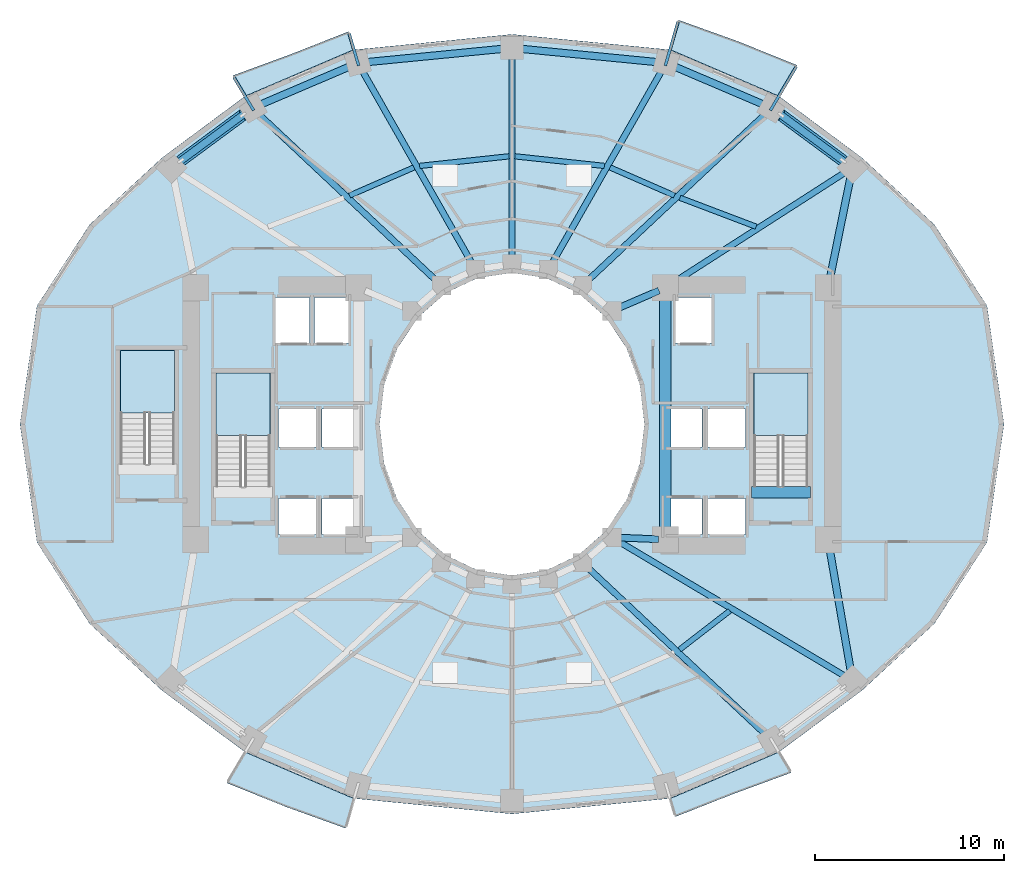
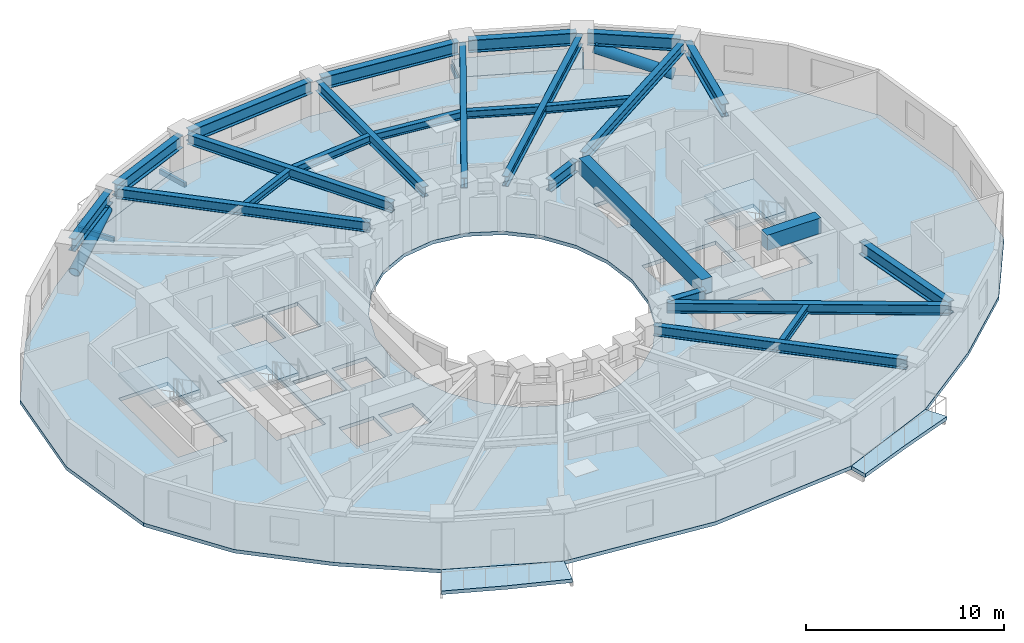
# One storey, part 2 of 10: 30 beams, 8 slabs, 2 members, 3 elements without a shape of their own.
"""IFC4 building model written with IfcOpenShell, lengths in metres."""

from ifc_helpers import new_model, si_unit, direction, frame, origin, origin_2d, place, context, subcontext, project, spatial, polyline, rectangle, hollow_rectangle, hollow_circle, i_section, outline, extrude, material, layer, layer_set, material_profile, profile_set, type_object, element, aggregate, save


model = new_model("IFC4")

# Units and contexts
model_context = context("Model", 3, precision=1e-05, world=origin(), true_north=direction((0.0, 1.0)))
body_context = subcontext(model_context, "Body", "Model", "MODEL_VIEW")
ifc_project = project(units=[si_unit("LENGTHUNIT", "METRE"), si_unit("AREAUNIT", "SQUARE_METRE"), si_unit("VOLUMEUNIT", "CUBIC_METRE"), si_unit("PLANEANGLEUNIT", "RADIAN"), si_unit("MASSUNIT", "GRAM", prefix="KILO")], contexts=[model_context])

# Site, building, storey
site_placement = place(None, origin())
site = spatial("IfcSite", under=ifc_project, at=site_placement, CompositionType="ELEMENT")
building_placement = place(site_placement, origin())
building = spatial("IfcBuilding", under=site, at=building_placement, Name="Solvane Sanctuary Tower", CompositionType="ELEMENT")
storey_placement = place(building_placement, frame((0.0, 0.0, 30.699951171875)))
storey = spatial("IfcBuildingStorey", under=building, at=storey_placement, Name="L08", CompositionType="ELEMENT", Elevation=30.699951171875)

# Beams
ifc_material_1 = material(Name="Steel ASTM A500 Grade C", Category="steel")
ifc_material_profile_1 = material_profile(ifc_material_1, hollow_rectangle(XDim=0.14990234375, YDim=0.300048828125, WallThickness=0.010009765625, at=origin_2d()), Name="HSS300X150X10")
ifc_profile_set_1 = profile_set([ifc_material_profile_1], Name="Steel ASTM A500 Grade C")
beam_type_1 = type_object("IfcBeamType", Name="Beam B-BALC-BRK HSS300X150X10", PredefinedType="BEAM", material=ifc_profile_set_1)
beam_1_placement = place(storey_placement, frame((45.650634765625, 39.574951171875, -0.3720703125), z_axis=(0.509702447383, 0.860350751224, 0.0), x_axis=(-0.860350751224, 0.509702447383, 0.0)))
element("IfcBeam", 1, at=beam_1_placement, inside=storey, type_object=beam_type_1, Name="L08 Balcony Bracket N1-1", PredefinedType="BEAM", context=body_context, shape_type="SweptSolid", body=[
    extrude(hollow_rectangle(XDim=0.14990234375, YDim=0.300048828125, WallThickness=0.010009765625, at=origin_2d()), origin(), (0.0, 0.0, 1.0), 2.678466796875),
])
beam_2_placement = place(storey_placement, frame((40.103515625, 41.939697265625, -0.3720703125), z_axis=(0.276710107222, 0.960953441412, 0.0), x_axis=(-0.960953441412, 0.276710107222, 0.0)))
element("IfcBeam", 2, at=beam_2_placement, inside=storey, type_object=beam_type_1, Name="L08 Balcony Bracket N1-2", PredefinedType="BEAM", context=body_context, shape_type="SweptSolid", body=[
    extrude(hollow_rectangle(XDim=0.14990234375, YDim=0.300048828125, WallThickness=0.010009765625, at=origin_2d()), origin(), (0.0, 0.0, 1.0), 2.414794921875),
])
beam_3_placement = place(storey_placement, frame((23.897705078125, 41.939697265625, -0.3720703125), z_axis=(-0.283291814516, 0.959033757398, 0.0), x_axis=(-0.959033757398, -0.283291814516, 0.0)))
element("IfcBeam", 3, at=beam_3_placement, inside=storey, type_object=beam_type_1, Name="L08 Balcony Bracket N2-1", PredefinedType="BEAM", context=body_context, shape_type="SweptSolid", body=[
    extrude(hollow_rectangle(XDim=0.14990234375, YDim=0.300048828125, WallThickness=0.010009765625, at=origin_2d()), origin(), (0.0, 0.0, 1.0), 1.78466796875),
])
beam_4_placement = place(storey_placement, frame((18.349609375, 39.5751953125, -0.3720703125), z_axis=(-0.512688631815, 0.858574613419, 0.0), x_axis=(-0.858574613419, -0.512688631815, 0.0)))
element("IfcBeam", 4, at=beam_4_placement, inside=storey, type_object=beam_type_1, Name="L08 Balcony Bracket N2-2", PredefinedType="BEAM", context=body_context, shape_type="SweptSolid", body=[
    extrude(hollow_rectangle(XDim=0.14990234375, YDim=0.300048828125, WallThickness=0.010009765625, at=origin_2d()), origin(), (0.0, 0.0, 1.0), 2.047607421875),
])
ifc_material_2 = material(Name="Concrete C70/85", Category="concrete")
ifc_material_profile_2 = material_profile(ifc_material_2, rectangle(XDim=0.60009765625, YDim=0.949951171875, at=origin_2d()), Name="RC600X950")
ifc_profile_set_2 = profile_set([ifc_material_profile_2], Name="Concrete C70/85")
beam_type_2 = type_object("IfcBeamType", Name="Beam B-COUPLE RC600X950", PredefinedType="LINTEL", material=ifc_profile_set_2)
beam_5_placement = place(storey_placement, frame((40.10009765625, 17.35009765625, 2.625), z_axis=(0.0, 1.0, 0.0), x_axis=(-1.0, 0.0, 0.0)))
element("IfcBeam", 5, at=beam_5_placement, inside=storey, type_object=beam_type_2, Name="L08 East Core Coupling Lintel", PredefinedType="LINTEL", context=body_context, shape_type="SweptSolid", body=[
    extrude(rectangle(XDim=0.60009765625, YDim=0.949951171875, at=origin_2d()), origin(), (0.0, 0.0, 1.0), 12.39990234375),
])
beam_6_placement = place(storey_placement, frame((44.64990234375, 19.399169921875, 2.625), z_axis=(1.0, 0.0, 0.0), x_axis=(0.0, 1.0, 0.0)))
element("IfcBeam", 6, at=beam_6_placement, inside=storey, type_object=beam_type_2, Name="L08 ST-2 Stair Floor Landing Trimmer", PredefinedType="LINTEL", context=body_context, shape_type="SweptSolid", body=[
    extrude(rectangle(XDim=0.60009765625, YDim=0.949951171875, at=origin_2d()), origin(), (0.0, 0.0, 1.0), 3.1201171875),
])
ifc_material_3 = material(Name="Steel ASTM A992 Grade 50", Category="steel")
ifc_material_profile_3 = material_profile(ifc_material_3, i_section(OverallWidth=0.323974609375, OverallDepth=0.611083984375, WebThickness=0.0126953125, FlangeThickness=0.01904296875, FilletRadius=0.01611328125, at=origin_2d()), Name="W24X104")
ifc_profile_set_3 = profile_set([ifc_material_profile_3], Name="Steel ASTM A992 Grade 50")
beam_type_3 = type_object("IfcBeamType", Name="Beam B-RAD-Z1 W24X104", PredefinedType="BEAM", material=ifc_profile_set_3)
beam_7_placement = place(storey_placement, frame((40.40283203125, 30.39453125, 2.572509765625), z_axis=(0.841383207998, 0.540438985733, 0.0), x_axis=(-0.540438985733, 0.841383207998, 0.0)))
element("IfcBeam", 7, at=beam_7_placement, inside=storey, type_object=beam_type_3, Name="L08 Radial Composite Floor Beam 01", PredefinedType="BEAM", context=body_context, shape_type="SweptSolid", body=[
    extrude(i_section(OverallWidth=0.323974609375, OverallDepth=0.611083984375, WebThickness=0.0126953125, FlangeThickness=0.01904296875, FilletRadius=0.01611328125, at=origin_2d()), origin(), (0.0, 0.0, 1.0), 11.116455078125),
])
beam_8_placement = place(storey_placement, frame((35.93408203125, 30.518310546875, 2.572509765625), z_axis=(0.729363446859, 0.68412642281, 0.0), x_axis=(-0.68412642281, 0.729363446859, 0.0)))
element("IfcBeam", 8, at=beam_8_placement, inside=storey, type_object=beam_type_3, Name="L08 Radial Composite Floor Beam 02", PredefinedType="BEAM", context=body_context, shape_type="SweptSolid", body=[
    extrude(i_section(OverallWidth=0.323974609375, OverallDepth=0.611083984375, WebThickness=0.0126953125, FlangeThickness=0.01904296875, FilletRadius=0.01611328125, at=origin_2d()), origin(), (0.0, 0.0, 1.0), 13.14697265625),
])
beam_9_placement = place(storey_placement, frame((34.0693359375, 31.4150390625, 2.572509765625), z_axis=(0.494862949167, 0.868971036078, 0.0), x_axis=(-0.868971036078, 0.494862949167, 0.0)))
element("IfcBeam", 9, at=beam_9_placement, inside=storey, type_object=beam_type_3, Name="L08 Radial Composite Floor Beam 03", PredefinedType="BEAM", context=body_context, shape_type="SweptSolid", body=[
    extrude(i_section(OverallWidth=0.323974609375, OverallDepth=0.611083984375, WebThickness=0.0126953125, FlangeThickness=0.01904296875, FilletRadius=0.01611328125, at=origin_2d()), origin(), (0.0, 0.0, 1.0), 11.997314453125),
])
beam_10_placement = place(storey_placement, frame((32.0, 31.739990234375, 2.572509765625), z_axis=(0.0, 1.0, 0.0), x_axis=(-1.0, 0.0, 0.0)))
element("IfcBeam", 10, at=beam_10_placement, inside=storey, type_object=beam_type_3, Name="L08 Radial Composite Floor Beam 04", PredefinedType="BEAM", context=body_context, shape_type="SweptSolid", body=[
    extrude(i_section(OverallWidth=0.323974609375, OverallDepth=0.611083984375, WebThickness=0.0126953125, FlangeThickness=0.01904296875, FilletRadius=0.01611328125, at=origin_2d()), origin(), (0.0, 0.0, 1.0), 10.860107421875),
])
beam_11_placement = place(storey_placement, frame((29.9306640625, 31.4150390625, 2.572509765625), z_axis=(-0.494862949167, 0.868971036078, 0.0), x_axis=(-0.868971036078, -0.494862949167, 0.0)))
element("IfcBeam", 11, at=beam_11_placement, inside=storey, type_object=beam_type_3, Name="L08 Radial Composite Floor Beam 05", PredefinedType="BEAM", context=body_context, shape_type="SweptSolid", body=[
    extrude(i_section(OverallWidth=0.323974609375, OverallDepth=0.611083984375, WebThickness=0.0126953125, FlangeThickness=0.01904296875, FilletRadius=0.01611328125, at=origin_2d()), origin(), (0.0, 0.0, 1.0), 11.997314453125),
])
for number, where, z_axis, x_axis, name in (
    (12, (28.06591796875, 30.518310546875, 2.572509765625), (-0.729363446859, 0.68412642281, 0.0), (-0.68412642281, -0.729363446859, 0.0), "L08 Radial Composite Floor Beam 06"),
    (13, (35.93408203125, 15.481689453125, 2.572509765625), (0.729363446859, -0.68412642281, 0.0), (0.68412642281, 0.729363446859, 0.0), "L08 Radial Composite Floor Beam 13"),
):
    element("IfcBeam", number, at=place(storey_placement, frame(where, z_axis=z_axis, x_axis=x_axis)), inside=storey, type_object=beam_type_3, Name=name, PredefinedType="BEAM", context=body_context, shape_type="SweptSolid", body=[
        extrude(i_section(OverallWidth=0.323974609375, OverallDepth=0.611083984375, WebThickness=0.0126953125, FlangeThickness=0.01904296875, FilletRadius=0.01611328125, at=origin_2d()), origin(), (0.0, 0.0, 1.0), 13.14697265625),
    ])
beam_12_placement = place(storey_placement, frame((37.515625, 16.874755859375, 2.572509765625), z_axis=(0.859229187027, -0.511590856214, 0.0), x_axis=(0.511590856214, 0.859229187027, 0.0)))
element("IfcBeam", 14, at=beam_12_placement, inside=storey, type_object=beam_type_3, Name="L08 Radial Composite Floor Beam 14", PredefinedType="BEAM", context=body_context, shape_type="SweptSolid", body=[
    extrude(i_section(OverallWidth=0.323974609375, OverallDepth=0.611083984375, WebThickness=0.0126953125, FlangeThickness=0.01904296875, FilletRadius=0.01611328125, at=origin_2d()), origin(), (0.0, 0.0, 1.0), 14.240234375),
])
ifc_material_profile_4 = material_profile(ifc_material_3, i_section(OverallWidth=0.35498046875, OverallDepth=0.695068359375, WebThickness=0.015380859375, FlangeThickness=0.02490234375, FilletRadius=0.01806640625, at=origin_2d()), Name="W27X146")
ifc_profile_set_4 = profile_set([ifc_material_profile_4], Name="Steel ASTM A992 Grade 50")
beam_type_4 = type_object("IfcBeamType", Name="Beam B-RING-IN1 W27X146", PredefinedType="BEAM", material=ifc_profile_set_4)
beam_13_placement = place(storey_placement, frame((37.70654296875, 29.168212890625, 2.530517578125), z_axis=(0.918277080365, 0.395938383687, 0.0), x_axis=(-0.395938383687, 0.918277080365, 0.0)))
element("IfcBeam", 15, at=beam_13_placement, inside=storey, type_object=beam_type_4, Name="L08 Inner Light-Well Ring Beam IC01-CE4", PredefinedType="BEAM", context=body_context, shape_type="SweptSolid", body=[
    extrude(i_section(OverallWidth=0.35498046875, OverallDepth=0.695068359375, WebThickness=0.015380859375, FlangeThickness=0.02490234375, FilletRadius=0.01806640625, at=origin_2d()), origin(), (0.0, 0.0, 1.0), 2.246337890625),
])
beam_14_placement = place(storey_placement, frame((37.74462890625, 16.998291015625, 2.530517578125), z_axis=(0.999130953379, -0.041681386726, 0.0), x_axis=(0.041681386726, 0.999130953379, 0.0)))
element("IfcBeam", 16, at=beam_14_placement, inside=storey, type_object=beam_type_4, Name="L08 Inner Light-Well Ring Beam IC14-CE1", PredefinedType="BEAM", context=body_context, shape_type="SweptSolid", body=[
    extrude(i_section(OverallWidth=0.35498046875, OverallDepth=0.695068359375, WebThickness=0.015380859375, FlangeThickness=0.02490234375, FilletRadius=0.01806640625, at=origin_2d()), origin(), (0.0, 0.0, 1.0), 1.997314453125),
])
ifc_material_profile_5 = material_profile(ifc_material_3, i_section(OverallWidth=0.280029296875, OverallDepth=0.462890625, WebThickness=0.0107421875, FlangeThickness=0.017333984375, FilletRadius=0.013916015625, at=origin_2d()), Name="W18X76")
ifc_profile_set_5 = profile_set([ifc_material_profile_5], Name="Steel ASTM A992 Grade 50")
beam_type_5 = type_object("IfcBeamType", Name="Beam B-SEC-JOIST W18X76", PredefinedType="JOIST", material=ifc_profile_set_5)
beam_15_placement = place(storey_placement, frame((23.415283203125, 35.078125, 2.646484375), z_axis=(0.916382007922, 0.400304903238, 0.0), x_axis=(-0.400304903238, 0.916382007922, 0.0)))
element("IfcBeam", 17, at=beam_15_placement, inside=storey, type_object=beam_type_5, Name="L08 Secondary Circumferential Joist 06-05", PredefinedType="JOIST", context=body_context, shape_type="SweptSolid", body=[
    extrude(i_section(OverallWidth=0.280029296875, OverallDepth=0.462890625, WebThickness=0.0107421875, FlangeThickness=0.017333984375, FilletRadius=0.013916015625, at=origin_2d()), origin(), (0.0, 0.0, 1.0), 3.713623046875),
])
for number, where, z_axis, x_axis, name in (
    (18, (27.118408203125, 36.64453125, 2.646484375), (0.994253832067, 0.107048201386, 0.0), (-0.107048201386, 0.994253832067, 0.0), "L08 Secondary Circumferential Joist 05-04"),
    (19, (32.156005859375, 37.1533203125, 2.646484375), (0.994253832067, -0.107048201386, 0.0), (0.107048201386, 0.994253832067, 0.0), "L08 Secondary Circumferential Joist 04-03"),
):
    element("IfcBeam", number, at=place(storey_placement, frame(where, z_axis=z_axis, x_axis=x_axis)), inside=storey, type_object=beam_type_5, Name=name, PredefinedType="JOIST", context=body_context, shape_type="SweptSolid", body=[
        extrude(i_section(OverallWidth=0.280029296875, OverallDepth=0.462890625, WebThickness=0.0107421875, FlangeThickness=0.017333984375, FilletRadius=0.013916015625, at=origin_2d()), origin(), (0.0, 0.0, 1.0), 4.7529296875),
    ])
beam_16_placement = place(storey_placement, frame((37.181640625, 36.564697265625, 2.646484375), z_axis=(0.916382007922, -0.400304903238, 0.0), x_axis=(0.400304903238, 0.916382007922, 0.0)))
element("IfcBeam", 20, at=beam_16_placement, inside=storey, type_object=beam_type_5, Name="L08 Secondary Circumferential Joist 03-02", PredefinedType="JOIST", context=body_context, shape_type="SweptSolid", body=[
    extrude(i_section(OverallWidth=0.280029296875, OverallDepth=0.462890625, WebThickness=0.0107421875, FlangeThickness=0.017333984375, FilletRadius=0.013916015625, at=origin_2d()), origin(), (0.0, 0.0, 1.0), 3.713623046875),
])
beam_17_placement = place(storey_placement, frame((40.87548828125, 34.959716796875, 2.646484375), z_axis=(0.934930049376, -0.354832076867, 0.0), x_axis=(0.354832076867, 0.934930049376, 0.0)))
element("IfcBeam", 21, at=beam_17_placement, inside=storey, type_object=beam_type_5, Name="L08 Secondary Circumferential Joist 02-01", PredefinedType="JOIST", context=body_context, shape_type="SweptSolid", body=[
    extrude(i_section(OverallWidth=0.280029296875, OverallDepth=0.462890625, WebThickness=0.0107421875, FlangeThickness=0.017333984375, FilletRadius=0.013916015625, at=origin_2d()), origin(), (0.0, 0.0, 1.0), 4.3037109375),
])
beam_18_placement = place(storey_placement, frame((40.852783203125, 11.080810546875, 2.646484375), z_axis=(0.790934777094, 0.611900464441, 0.0), x_axis=(-0.611900464441, 0.790934777094, 0.0)))
element("IfcBeam", 22, at=beam_18_placement, inside=storey, type_object=beam_type_5, Name="L08 Secondary Circumferential Joist 13-14", PredefinedType="JOIST", context=body_context, shape_type="SweptSolid", body=[
    extrude(i_section(OverallWidth=0.280029296875, OverallDepth=0.462890625, WebThickness=0.0107421875, FlangeThickness=0.017333984375, FilletRadius=0.013916015625, at=origin_2d()), origin(), (0.0, 0.0, 1.0), 3.358642578125),
])
ifc_material_profile_6 = material_profile(ifc_material_3, i_section(OverallWidth=0.382080078125, OverallDepth=0.779052734375, WebThickness=0.01806640625, FlangeThickness=0.030029296875, FilletRadius=0.02001953125, at=origin_2d()), Name="W30X191")
ifc_profile_set_6 = profile_set([ifc_material_profile_6], Name="Steel ASTM A992 Grade 50")
beam_type_6 = type_object("IfcBeamType", Name="Beam B-SPAND-Z1 W30X191", PredefinedType="SPANDREL", material=ifc_profile_set_6)
beam_19_placement = place(storey_placement, frame((14.2333984375, 36.719970703125, 2.488525390625), z_axis=(0.804334467125, 0.594176796076, 0.0), x_axis=(-0.594176796076, 0.804334467125, 0.0)))
element("IfcBeam", 23, at=beam_19_placement, inside=storey, type_object=beam_type_6, Name="L08 Perimeter Spandrel Beam TC07-TC06", PredefinedType="SPANDREL", context=body_context, shape_type="SweptSolid", body=[
    extrude(i_section(OverallWidth=0.382080078125, OverallDepth=0.779052734375, WebThickness=0.01806640625, FlangeThickness=0.030029296875, FilletRadius=0.02001953125, at=origin_2d()), origin(), (0.0, 0.0, 1.0), 4.7421875),
])
beam_20_placement = place(storey_placement, frame((18.530517578125, 39.81396484375, 2.488525390625), z_axis=(0.919906751835, 0.392137179988, 0.0), x_axis=(-0.392137179988, 0.919906751835, 0.0)))
element("IfcBeam", 24, at=beam_20_placement, inside=storey, type_object=beam_type_6, Name="L08 Perimeter Spandrel Beam TC06-TC05", PredefinedType="SPANDREL", context=body_context, shape_type="SweptSolid", body=[
    extrude(i_section(OverallWidth=0.382080078125, OverallDepth=0.779052734375, WebThickness=0.01806640625, FlangeThickness=0.030029296875, FilletRadius=0.02001953125, at=origin_2d()), origin(), (0.0, 0.0, 1.0), 5.508056640625),
])
for number, where, z_axis, x_axis, name in (
    (25, (24.1337890625, 42.11083984375, 2.488525390625), (0.995252945064, 0.097322018793, 0.0), (-0.097322018793, 0.995252945064, 0.0), "L08 Perimeter Spandrel Beam TC05-TC04"),
    (26, (32.27880859375, 42.852783203125, 2.488525390625), (0.995252945064, -0.097322018793, 0.0), (0.097322018793, 0.995252945064, 0.0), "L08 Perimeter Spandrel Beam TC04-TC03"),
):
    element("IfcBeam", number, at=place(storey_placement, frame(where, z_axis=z_axis, x_axis=x_axis)), inside=storey, type_object=beam_type_6, Name=name, PredefinedType="SPANDREL", context=body_context, shape_type="SweptSolid", body=[
        extrude(i_section(OverallWidth=0.382080078125, OverallDepth=0.779052734375, WebThickness=0.01806640625, FlangeThickness=0.030029296875, FilletRadius=0.02001953125, at=origin_2d()), origin(), (0.0, 0.0, 1.0), 7.62353515625),
    ])
beam_21_placement = place(storey_placement, frame((40.402587890625, 41.973876953125, 2.488525390625), z_axis=(0.919906751835, -0.392137179988, 0.0), x_axis=(0.392137179988, 0.919906751835, 0.0)))
element("IfcBeam", 27, at=beam_21_placement, inside=storey, type_object=beam_type_6, Name="L08 Perimeter Spandrel Beam TC03-TC02", PredefinedType="SPANDREL", context=body_context, shape_type="SweptSolid", body=[
    extrude(i_section(OverallWidth=0.382080078125, OverallDepth=0.779052734375, WebThickness=0.01806640625, FlangeThickness=0.030029296875, FilletRadius=0.02001953125, at=origin_2d()), origin(), (0.0, 0.0, 1.0), 5.508056640625),
])
beam_22_placement = place(storey_placement, frame((45.952392578125, 39.53759765625, 2.488525390625), z_axis=(0.804334467125, -0.594176796076, 0.0), x_axis=(0.594176796076, 0.804334467125, 0.0)))
element("IfcBeam", 28, at=beam_22_placement, inside=storey, type_object=beam_type_6, Name="L08 Perimeter Spandrel Beam TC02-TC01", PredefinedType="SPANDREL", context=body_context, shape_type="SweptSolid", body=[
    extrude(i_section(OverallWidth=0.382080078125, OverallDepth=0.779052734375, WebThickness=0.01806640625, FlangeThickness=0.030029296875, FilletRadius=0.02001953125, at=origin_2d()), origin(), (0.0, 0.0, 1.0), 4.7421875),
])
beam_23_placement = place(storey_placement, frame((49.935791015625, 36.279296875, 2.488525390625), z_axis=(-0.199190417877, -0.979960804025, 0.0), x_axis=(0.979960804025, -0.199190417877, 0.0)))
element("IfcBeam", 29, at=beam_23_placement, inside=storey, type_object=beam_type_6, Name="L08 Perimeter Spandrel Beam TC01-CE3", PredefinedType="SPANDREL", context=body_context, shape_type="SweptSolid", body=[
    extrude(i_section(OverallWidth=0.382080078125, OverallDepth=0.779052734375, WebThickness=0.01806640625, FlangeThickness=0.030029296875, FilletRadius=0.02001953125, at=origin_2d()), origin(), (0.0, 0.0, 1.0), 5.923583984375),
])
beam_24_placement = place(storey_placement, frame((49.94384765625, 9.722412109375, 2.488525390625), z_axis=(-0.170754238709, 0.985313650551, 0.0), x_axis=(-0.985313650551, -0.170754238709, 0.0)))
element("IfcBeam", 30, at=beam_24_placement, inside=storey, type_object=beam_type_6, Name="L08 Perimeter Spandrel Beam TC14-CE2", PredefinedType="SPANDREL", context=body_context, shape_type="SweptSolid", body=[
    extrude(i_section(OverallWidth=0.382080078125, OverallDepth=0.779052734375, WebThickness=0.01806640625, FlangeThickness=0.030029296875, FilletRadius=0.02001953125, at=origin_2d()), origin(), (0.0, 0.0, 1.0), 7.00439453125),
])

# Members
ifc_material_profile_7 = material_profile(ifc_material_3, hollow_circle(Radius=0.304931640625, WallThickness=0.01611328125, at=origin_2d()), Name="CHS610X16")
ifc_profile_set_7 = profile_set([ifc_material_profile_7], Name="Steel ASTM A992 Grade 50")
member_type = type_object("IfcMemberType", Name="Member M-TUBE-Z1 CHS610X16", PredefinedType="BRACE", material=ifc_profile_set_7)
for number, where, z_axis, x_axis, name in (
    (31, (49.49609375, 36.919921875, 0.579833984375), (-0.765137923591, 0.565199520065, 0.308404702302), (-0.594161791503, -0.804345551065, 0.0), "L08 Perimeter Braced-Tube Diagonal NE"),
    (32, (14.50390625, 36.919921875, 0.579833984375), (0.765137923591, 0.565199520065, 0.308404702302), (-0.594161791503, 0.804345551065, 0.0), "L08 Perimeter Braced-Tube Diagonal NW"),
):
    element("IfcMember", number, at=place(storey_placement, frame(where, z_axis=z_axis, x_axis=x_axis)), inside=storey, type_object=member_type, Name=name, PredefinedType="BRACE", context=body_context, shape_type="SweptSolid", body=[
        extrude(hollow_circle(Radius=0.304931640625, WallThickness=0.01611328125, at=origin_2d()), origin(), (0.0, 0.0, 1.0), 4.281005859375),
    ])

# Slabs
ifc_material_4 = material(Name="Precast concrete C40/50", Category="concrete")
ifc_layer_1 = layer(ifc_material_4, 0.219970703125, Name="Precast concrete C40/50")
ifc_layer_set_1 = layer_set([ifc_layer_1], Name="Precast concrete C40/50")
slab_type_1 = type_object("IfcSlabType", Name="Slab SL-BALC-200", PredefinedType="FLOOR", material=ifc_layer_set_1)
slab_1_placement = place(storey_placement, frame((0.0, 0.0, -0.219970703125)))
element("IfcSlab", 33, at=slab_1_placement, inside=storey, type_object=slab_type_1, Name="L08 Wave Balcony Slab N1", PredefinedType="FLOOR", context=body_context, shape_type="SweptSolid", body=[
    extrude(outline(polyline([(47.06689453125, 41.96533203125), (43.941650390625, 43.226318359375), (40.799560546875, 44.356201171875), (40.37841796875, 42.78271484375), (46.11962890625, 40.32568359375), (47.06689453125, 41.96533203125)])), origin(), (0.0, 0.0, 1.0), 0.219970703125),
])
slab_2_placement = place(storey_placement, frame((0.0, 0.0, -0.219970703125)))
element("IfcSlab", 34, at=slab_2_placement, inside=storey, type_object=slab_type_1, Name="L08 Wave Balcony Slab N2", PredefinedType="FLOOR", context=body_context, shape_type="SweptSolid", body=[
    extrude(outline(polyline([(23.36376953125, 43.747314453125), (20.3369140625, 42.5537109375), (17.248291015625, 41.419189453125), (17.88037109375, 40.32568359375), (23.62158203125, 42.78271484375), (23.36376953125, 43.747314453125)])), origin(), (0.0, 0.0, 1.0), 0.219970703125),
])
slab_3_placement = place(storey_placement, frame((0.0, 0.0, -0.219970703125)))
element("IfcSlab", 35, at=slab_3_placement, inside=storey, type_object=slab_type_1, Name="L08 Wave Balcony Slab S1", PredefinedType="FLOOR", context=body_context, shape_type="SweptSolid", body=[
    extrude(outline(polyline([(16.93310546875, 4.03466796875), (20.058349609375, 2.773681640625), (23.200439453125, 1.643798828125), (23.62158203125, 3.21728515625), (17.88037109375, 5.67431640625), (16.93310546875, 4.03466796875)])), origin(), (0.0, 0.0, 1.0), 0.219970703125),
])
slab_4_placement = place(storey_placement, frame((0.0, 0.0, -0.219970703125)))
element("IfcSlab", 36, at=slab_4_placement, inside=storey, type_object=slab_type_1, Name="L08 Wave Balcony Slab S2", PredefinedType="FLOOR", context=body_context, shape_type="SweptSolid", body=[
    extrude(outline(polyline([(40.63623046875, 2.252685546875), (43.6630859375, 3.4462890625), (46.751708984375, 4.580810546875), (46.11962890625, 5.67431640625), (40.37841796875, 3.21728515625), (40.63623046875, 2.252685546875)])), origin(), (0.0, 0.0, 1.0), 0.219970703125),
])

# Stair, slab
ifc_material_5 = material(Name="Concrete C45/55", Category="concrete")
stair_type = type_object("IfcStairType", Name="Stair ST-TOW", PredefinedType="HALF_TURN_STAIR", material=ifc_material_5)
stair_1_placement = place(storey_placement, origin())
stair_1 = element("IfcStair", 37, at=stair_1_placement, inside=storey, type_object=stair_type, Name="L08 Exit Stair ST-1 West Core", PredefinedType="HALF_TURN_STAIR")
ifc_layer_2 = layer(ifc_material_5, 0.199951171875, Name="Concrete C45/55")
ifc_layer_set_2 = layer_set([ifc_layer_2], Name="Concrete C45/55")
slab_type_2 = type_object("IfcSlabType", Name="Slab SL-LAND-180", PredefinedType="LANDING", material=ifc_layer_set_2)
slab_5_placement = place(storey_placement, frame((0.0, 0.0, 1.35009765625)))
slab_5 = element("IfcSlab", 38, at=slab_5_placement, type_object=slab_type_2, Name="ST-1 landing 1", PredefinedType="LANDING", context=body_context, shape_type="SweptSolid", body=[
    extrude(outline(polyline([(19.219970703125, 22.39990234375), (19.219970703125, 25.699951171875), (16.360107421875, 25.699951171875), (16.360107421875, 22.39990234375), (19.219970703125, 22.39990234375)])), origin(), (0.0, 0.0, 1.0), 0.199951171875),
])
aggregate(stair_1, [slab_5])

stair_2_placement = place(storey_placement, origin())
stair_2 = element("IfcStair", 39, at=stair_2_placement, inside=storey, type_object=stair_type, Name="L08 Exit Stair ST-2 East Core", PredefinedType="HALF_TURN_STAIR")
slab_6_placement = place(storey_placement, frame((0.0, 0.0, 1.35009765625)))
slab_6 = element("IfcSlab", 40, at=slab_6_placement, type_object=slab_type_2, Name="ST-2 landing 1", PredefinedType="LANDING", context=body_context, shape_type="SweptSolid", body=[
    extrude(outline(polyline([(47.639892578125, 22.39990234375), (47.639892578125, 25.699951171875), (44.780029296875, 25.699951171875), (44.780029296875, 22.39990234375), (47.639892578125, 22.39990234375)])), origin(), (0.0, 0.0, 1.0), 0.199951171875),
])
aggregate(stair_2, [slab_6])

stair_3_placement = place(storey_placement, origin())
stair_3 = element("IfcStair", 41, at=stair_3_placement, inside=storey, type_object=stair_type, Name="L08 Exit Stair ST-3 Pilgrim Tower Stair", PredefinedType="HALF_TURN_STAIR")
slab_7_placement = place(storey_placement, frame((0.0, 0.0, 1.35009765625)))
slab_7 = element("IfcSlab", 42, at=slab_7_placement, type_object=slab_type_2, Name="ST-3 landing 1", PredefinedType="LANDING", context=body_context, shape_type="SweptSolid", body=[
    extrude(outline(polyline([(14.159912109375, 23.60009765625), (14.159912109375, 26.89990234375), (11.300048828125, 26.89990234375), (11.300048828125, 23.60009765625), (14.159912109375, 23.60009765625)])), origin(), (0.0, 0.0, 1.0), 0.199951171875),
])
aggregate(stair_3, [slab_7])

# Slab
ifc_layer_3 = layer(ifc_material_5, 0.219970703125, Name="Concrete C45/55")
ifc_layer_set_3 = layer_set([ifc_layer_3], Name="Concrete C45/55")
slab_type_3 = type_object("IfcSlabType", Name="Slab SL-TOW-220", PredefinedType="FLOOR", material=ifc_layer_set_3)
slab_8_placement = place(storey_placement, frame((0.0, 0.0, -0.219970703125)))
element("IfcSlab", 43, at=slab_8_placement, inside=storey, type_object=slab_type_3, Name="L08 Primary Structural Slab", PredefinedType="FLOOR", context=body_context, shape_type="SweptSolid", body=[
    extrude(outline(polyline([(58.0, 23.0), (57.101806640625, 29.25048828125), (54.31396484375, 33.5517578125), (50.504150390625, 37.066162109375), (46.1181640625, 40.322021484375), (40.376708984375, 42.77880859375), (32.0, 43.60009765625), (23.623291015625, 42.77880859375), (17.8818359375, 40.322021484375), (13.495849609375, 37.066162109375), (9.68603515625, 33.5517578125), (6.898193359375, 29.25048828125), (6.0, 23.0), (6.898193359375, 16.74951171875), (9.68603515625, 12.4482421875), (13.495849609375, 8.933837890625), (17.8818359375, 5.677978515625), (23.623291015625, 3.22119140625), (32.0, 2.39990234375), (40.376708984375, 3.22119140625), (46.1181640625, 5.677978515625), (50.504150390625, 8.933837890625), (54.31396484375, 12.4482421875), (57.101806640625, 16.74951171875), (58.0, 23.0)]), holes=[polyline([(38.761474609375, 20.929443359375), (38.062255859375, 19.0), (36.94970703125, 17.343017578125), (35.5, 16.07177734375), (33.811767578125, 15.272705078125), (32.0, 15.0), (30.188232421875, 15.272705078125), (28.5, 16.07177734375), (27.05029296875, 17.343017578125), (25.937744140625, 19.0), (25.238525390625, 20.929443359375), (25.0, 23.0), (25.238525390625, 25.070556640625), (25.937744140625, 27.0), (27.05029296875, 28.656982421875), (28.5, 29.92822265625), (30.188232421875, 30.727294921875), (32.0, 31.0), (33.811767578125, 30.727294921875), (35.5, 29.92822265625), (36.94970703125, 28.656982421875), (38.062255859375, 27.0), (38.761474609375, 25.070556640625), (39.0, 23.0), (38.761474609375, 20.929443359375)]), polyline([(16.360107421875, 19.699951171875), (16.360107421875, 25.699951171875), (19.219970703125, 25.699951171875), (19.219970703125, 19.699951171875), (16.360107421875, 19.699951171875)]), polyline([(44.780029296875, 19.699951171875), (44.780029296875, 25.699951171875), (47.639892578125, 25.699951171875), (47.639892578125, 19.699951171875), (44.780029296875, 19.699951171875)]), polyline([(11.300048828125, 20.89990234375), (11.300048828125, 26.89990234375), (14.159912109375, 26.89990234375), (14.159912109375, 20.89990234375), (11.300048828125, 20.89990234375)]), polyline([(19.64990234375, 19.080078125), (21.64990234375, 19.080078125), (21.64990234375, 17.179931640625), (19.64990234375, 17.179931640625), (19.64990234375, 19.080078125)]), polyline([(21.949951171875, 19.080078125), (23.949951171875, 19.080078125), (23.949951171875, 17.179931640625), (21.949951171875, 17.179931640625), (21.949951171875, 19.080078125)]), polyline([(40.050048828125, 19.080078125), (42.050048828125, 19.080078125), (42.050048828125, 17.179931640625), (40.050048828125, 17.179931640625), (40.050048828125, 19.080078125)]), polyline([(42.35009765625, 19.080078125), (44.35009765625, 19.080078125), (44.35009765625, 17.179931640625), (42.35009765625, 17.179931640625), (42.35009765625, 19.080078125)]), polyline([(19.64990234375, 23.800048828125), (21.64990234375, 23.800048828125), (21.64990234375, 21.800048828125), (19.64990234375, 21.800048828125), (19.64990234375, 23.800048828125)]), polyline([(42.35009765625, 23.800048828125), (44.35009765625, 23.800048828125), (44.35009765625, 21.800048828125), (42.35009765625, 21.800048828125), (42.35009765625, 23.800048828125)]), polyline([(21.949951171875, 23.800048828125), (23.949951171875, 23.800048828125), (23.949951171875, 21.800048828125), (21.949951171875, 21.800048828125), (21.949951171875, 23.800048828125)]), polyline([(40.050048828125, 23.800048828125), (42.050048828125, 23.800048828125), (42.050048828125, 21.800048828125), (40.050048828125, 21.800048828125), (40.050048828125, 23.800048828125)]), polyline([(19.5, 29.699951171875), (21.300048828125, 29.699951171875), (21.300048828125, 27.300048828125), (19.5, 27.300048828125), (19.5, 29.699951171875)]), polyline([(21.550048828125, 29.699951171875), (23.35009765625, 29.699951171875), (23.35009765625, 27.300048828125), (21.550048828125, 27.300048828125), (21.550048828125, 29.699951171875)]), polyline([(40.64990234375, 29.699951171875), (42.550048828125, 29.699951171875), (42.550048828125, 27.300048828125), (40.64990234375, 27.300048828125), (40.64990234375, 29.699951171875)])]), origin(), (0.0, 0.0, 1.0), 0.219970703125),
])

save(model, "model.ifc")
